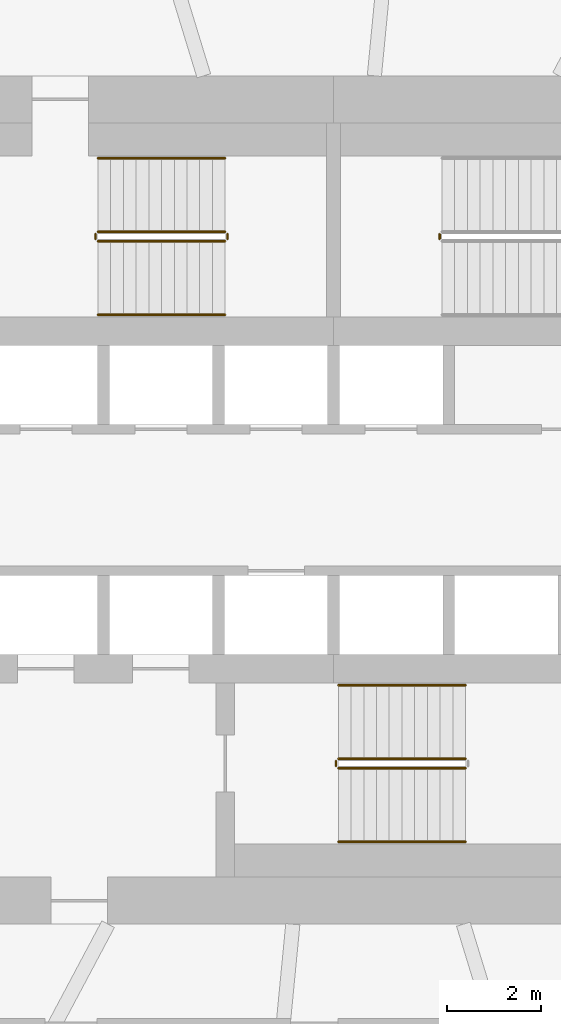
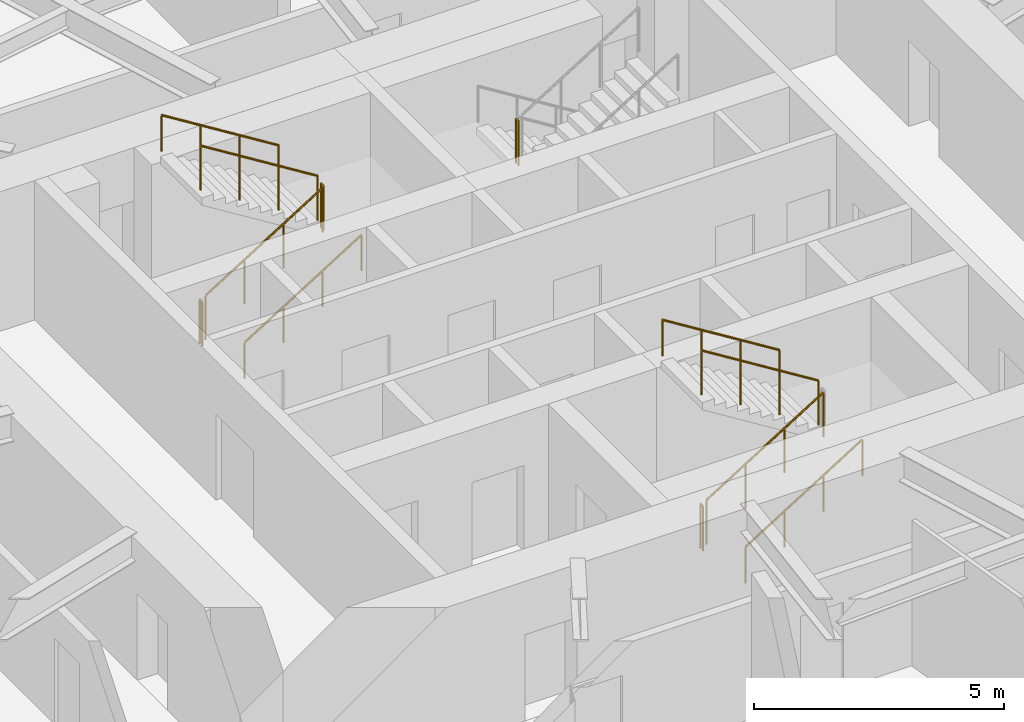
# One storey, part 13 of 16: 12 railings.
"""IFC4 building model written with IfcOpenShell, lengths in metres."""

import ifcopenshell
import ifcopenshell.guid

model = None  # the IFC model being written
_history = None  # IfcOwnerHistory: only IFC2X3 demands one
_inside = {}  # id of a spatial element -> (the spatial element, [elements in it])
_under = {}  # id of a project, library or spatial element -> (it, [spatial elements below it])
_declared = {}  # id of a project -> (the project, [libraries it declares])
_typed = {}  # id of a type object -> (the type object, [elements of that type])
_made_of = {}  # id of a material, layer set ... -> (it, [elements and type objects made of it])


def new_model(schema):
    """Start an empty IFC model of exactly this schema.

    Asked for "IFC4X3", IfcOpenShell would pick the latest addendum, in which some entities
    have other attributes; the version numbers below select the first issue.
    IFC2X3 requires an IfcOwnerHistory on every rooted entity: one is made here for all.
    """
    global model, _history
    if schema == "IFC4X3":
        model = ifcopenshell.file(schema_version=(4, 3, 0, 0))
    else:
        model = ifcopenshell.file(schema=schema)
    _inside.clear()
    _under.clear()
    _declared.clear()
    _typed.clear()
    _made_of.clear()
    _history = None
    if model.schema == "IFC2X3":
        org = make("IfcOrganization", Name="unknown")
        user = make(
            "IfcPersonAndOrganization",
            ThePerson=make("IfcPerson", FamilyName="unknown"),
            TheOrganization=org,
        )
        app = make(
            "IfcApplication",
            ApplicationDeveloper=org,
            Version="unknown",
            ApplicationFullName="unknown",
            ApplicationIdentifier="unknown",
        )
        _history = make(
            "IfcOwnerHistory",
            OwningUser=user,
            OwningApplication=app,
            ChangeAction="ADDED",
            CreationDate=0,
        )
    return model


def make(cls, **values):
    """One entity of the class cls with the attributes given. An attribute that is None is left unset."""
    return model.create_entity(
        cls, **{name: value for name, value in values.items() if value is not None}
    )


def rooted(cls, **values):
    """An entity with a GlobalId (a new one), such as an element, a storey or a relation."""
    return make(cls, GlobalId=ifcopenshell.guid.new(), OwnerHistory=_history, **values)


def si_unit(unit_type, name, prefix=None):
    """IfcSIUnit, for example si_unit("LENGTHUNIT", "METRE", prefix="MILLI")."""
    return make("IfcSIUnit", UnitType=unit_type, Prefix=prefix, Name=name)


def assignment(units):
    """IfcUnitAssignment: the units of a project."""
    return None if units is None else make("IfcUnitAssignment", Units=units)


def point(xyz):
    """IfcCartesianPoint."""
    return None if xyz is None else make("IfcCartesianPoint", Coordinates=xyz)


def direction(xyz):
    """IfcDirection."""
    return None if xyz is None else make("IfcDirection", DirectionRatios=xyz)


def frame(location, z_axis=None, x_axis=None):
    """IfcAxis2Placement3D, a coordinate frame: its origin and axes. An axis left out is left unset."""
    return make(
        "IfcAxis2Placement3D",
        Location=point(location),
        Axis=direction(z_axis),
        RefDirection=direction(x_axis),
    )


def frame_2d(location, x_axis=None):
    """IfcAxis2Placement2D, a coordinate frame in the plane: its origin and x axis."""
    return make(
        "IfcAxis2Placement2D", Location=point(location), RefDirection=direction(x_axis)
    )


def origin():
    """The frame at (0, 0, 0) with its axes left unset."""
    return frame((0.0, 0.0, 0.0))


def origin_2d():
    """The frame at (0, 0) in the plane with its x axis left unset."""
    return frame_2d((0.0, 0.0))


def place(relative_to, where):
    """IfcLocalPlacement: puts the frame where relative to a parent placement (None: the world)."""
    return make(
        "IfcLocalPlacement", PlacementRelTo=relative_to, RelativePlacement=where
    )


def context(
    kind, dimensions, precision=None, world=None, true_north=None, identifier=None
):
    """IfcGeometricRepresentationContext, for example the 3D "Model" context."""
    return make(
        "IfcGeometricRepresentationContext",
        ContextIdentifier=identifier,
        ContextType=kind,
        CoordinateSpaceDimension=dimensions,
        Precision=precision,
        WorldCoordinateSystem=world,
        TrueNorth=true_north,
    )


def subcontext(parent, identifier, kind, view, scale=None):
    """IfcGeometricRepresentationSubContext, for example "Body" below "Model"."""
    return make(
        "IfcGeometricRepresentationSubContext",
        ContextIdentifier=identifier,
        ContextType=kind,
        ParentContext=parent,
        TargetScale=scale,
        TargetView=view,
    )


def project(units=None, contexts=None):
    """IfcProject with its units and contexts."""
    return rooted(
        "IfcProject",
        Name="project",
        RepresentationContexts=contexts,
        UnitsInContext=assignment(units),
    )


def spatial(cls, under=None, at=None, **own):
    """A site, building, storey or space (cls), placed at a placement, below another one or the project."""
    s = rooted(cls, ObjectPlacement=at, **own)
    if under is not None:
        _under.setdefault(under.id(), (under, []))[1].append(s)
    return s


def profile(cls, at=None, kind="AREA", **sizes):
    """A parametric profile (cls). Its sizes go by their IFC names, for example OverallWidth=200.0."""
    return make(cls, ProfileType=kind, Position=at, **sizes)


def circle(**sizes):
    """IfcCircleProfileDef."""
    return profile("IfcCircleProfileDef", **sizes)


def extrude(swept, where, along, depth):
    """IfcExtrudedAreaSolid: the profile swept, set in the frame where, extruded along a direction by depth."""
    return make(
        "IfcExtrudedAreaSolid",
        SweptArea=swept,
        Position=where,
        ExtrudedDirection=direction(along),
        Depth=depth,
    )


def shape(context_of_items, identifier, shape_type, items):
    """IfcShapeRepresentation: the items that make up one representation, for example the "Body"."""
    return make(
        "IfcShapeRepresentation",
        ContextOfItems=context_of_items,
        RepresentationIdentifier=identifier,
        RepresentationType=shape_type,
        Items=items,
    )


def material(Name=None, Category=None):
    """IfcMaterial."""
    return make("IfcMaterial", Name=Name, Category=Category)


def made_of(thing, what):
    """Note that an element or type object is made of a material, layer set ...; save() writes the relation."""
    if what is not None:
        _made_of.setdefault(what.id(), (what, []))[1].append(thing)
    return thing


def type_object(cls, material=None, **own):
    """A type object (cls), such as IfcWallType, which elements share."""
    return made_of(rooted(cls, **own), material)


def element(
    cls,
    number,
    at=None,
    inside=None,
    cuts=None,
    type_object=None,
    material=None,
    context=None,
    identifier="Body",
    shape_type=None,
    held_by="IfcProductDefinitionShape",
    body=None,
    shapes=None,
    **own,
):
    """One element of the class cls, such as IfcWall. Its Tag is "e" and its number.

    at: its placement. inside: the storey or other place that contains it. cuts: it is an
    opening in that element (IfcRelVoidsElement). A single representation is given by context,
    identifier, shape_type and body (its items); several are given by shapes. held_by: the class
    of the entity that holds the representations. save() writes the other relations.
    """
    e = rooted(cls, Tag="e%d" % number, ObjectPlacement=at, **own)
    if body is not None:
        shapes = [shape(context, identifier, shape_type, body)]
    if shapes is not None:
        e.Representation = make(held_by, Representations=shapes)
    if inside is not None:
        _inside.setdefault(inside.id(), (inside, []))[1].append(e)
    if cuts is not None:
        rooted(
            "IfcRelVoidsElement", RelatingBuildingElement=cuts, RelatedOpeningElement=e
        )
    if type_object is not None:
        _typed.setdefault(type_object.id(), (type_object, []))[1].append(e)
    return made_of(e, material)


def aggregate(whole, parts):
    """IfcRelAggregates: a whole, such as a stair, and the parts it consists of."""
    return rooted("IfcRelAggregates", RelatingObject=whole, RelatedObjects=parts)


def save(model, path):
    """Write the relations noted so far, then the file.

    IfcRelAggregates (storeys below a building ...), IfcRelContainedInSpatialStructure (elements
    in a storey), IfcRelDefinesByType, IfcRelAssociatesMaterial and IfcRelDeclares: one each for
    every whole, place, type object, material and project.
    """
    for whole, parts in _under.values():
        aggregate(whole, parts)
    for where, things in _inside.values():
        rooted(
            "IfcRelContainedInSpatialStructure",
            RelatedElements=things,
            RelatingStructure=where,
        )
    for kind, things in _typed.values():
        rooted("IfcRelDefinesByType", RelatedObjects=things, RelatingType=kind)
    for what, things in _made_of.values():
        rooted("IfcRelAssociatesMaterial", RelatedObjects=things, RelatingMaterial=what)
    for by, libraries in _declared.values():
        rooted("IfcRelDeclares", RelatingContext=by, RelatedDefinitions=libraries)
    model.write(path)


model = new_model("IFC4")

# Units and contexts
model_context = context("Model", 3, precision=1e-05, world=origin(), true_north=direction((0.0, 1.0)))
body_context = subcontext(model_context, "Body", "Model", "MODEL_VIEW")
ifc_project = project(units=[si_unit("LENGTHUNIT", "METRE"), si_unit("AREAUNIT", "SQUARE_METRE"), si_unit("VOLUMEUNIT", "CUBIC_METRE"), si_unit("PLANEANGLEUNIT", "RADIAN"), si_unit("MASSUNIT", "GRAM", prefix="KILO")], contexts=[model_context])

# Site, building, storey
site_placement = place(None, origin())
site = spatial("IfcSite", under=ifc_project, at=site_placement, CompositionType="ELEMENT")
building_placement = place(site_placement, origin())
building = spatial("IfcBuilding", under=site, at=building_placement, Name="Vermilion Reach Broadcast Tower", CompositionType="ELEMENT")
storey_placement = place(building_placement, frame((0.0, 0.0, 69.300048828125)))
storey = spatial("IfcBuildingStorey", under=building, at=storey_placement, Name="L14", CompositionType="ELEMENT", Elevation=69.300048828125)

# Railings
ifc_material_1 = material(Name="Stainless steel", Category="steel")
railing_type_1 = type_object("IfcRailingType", Name="Stair guard 1100", PredefinedType="GUARDRAIL", material=ifc_material_1)
railing_1_placement = place(storey_placement, frame((-11.0, 5.489990234375, 0.168212890625)))
element("IfcRailing", 1, at=railing_1_placement, inside=storey, type_object=railing_type_1, Name="L14 ST1 stair guard 1", PredefinedType="GUARDRAIL", context=body_context, shape_type="SweptSolid", body=[
    extrude(circle(Radius=0.02392578125, at=origin_2d()), frame((0.0, 0.0, 1.076171875), z_axis=(0.84882087487, 0.0, 0.528680548522), x_axis=(0.0, 1.0, 0.0)), (0.0, 0.0, 1.0), 3.180908203125),
    extrude(circle(Radius=0.02099609375, at=origin_2d()), origin(), (0.0, 0.0, 1.0), 1.052001953125),
    extrude(circle(Radius=0.02099609375, at=origin_2d()), frame((0.89990234375, 0.0, 0.560546875)), (0.0, 0.0, 1.0), 1.052001953125),
    extrude(circle(Radius=0.02099609375, at=origin_2d()), frame((1.800048828125, 0.0, 1.12109375)), (0.0, 0.0, 1.0), 1.052001953125),
    extrude(circle(Radius=0.02099609375, at=origin_2d()), frame((2.699951171875, 0.0, 1.681640625)), (0.0, 0.0, 1.0), 1.052001953125),
])
railing_2_placement = place(storey_placement, frame((-8.25, 5.5400390625, 1.849853515625)))
element("IfcRailing", 2, at=railing_2_placement, inside=storey, type_object=railing_type_1, Name="L14 ST1 stair guard 2", PredefinedType="GUARDRAIL", context=body_context, shape_type="SweptSolid", body=[
    extrude(circle(Radius=0.02392578125, at=origin_2d()), frame((0.0, 0.0, 1.076171875), z_axis=(0.0, 1.0, 0.0), x_axis=(-1.0, 0.0, 0.0)), (0.0, 0.0, 1.0), 0.099853515625),
    extrude(circle(Radius=0.02099609375, at=origin_2d()), origin(), (0.0, 0.0, 1.0), 1.052001953125),
    extrude(circle(Radius=0.02099609375, at=origin_2d()), frame((0.0, 0.099853515625, 0.0)), (0.0, 0.0, 1.0), 1.052001953125),
])
railing_3_placement = place(storey_placement, frame((-8.300048828125, 5.68994140625, 2.01806640625)))
element("IfcRailing", 3, at=railing_3_placement, inside=storey, type_object=railing_type_1, Name="L14 ST1 stair guard 3", PredefinedType="GUARDRAIL", context=body_context, shape_type="SweptSolid", body=[
    extrude(circle(Radius=0.02392578125, at=origin_2d()), frame((0.0, 0.0, 1.076171875), z_axis=(-0.848786430784, 0.0, 0.528735846068), x_axis=(0.0, -1.0, 0.0)), (0.0, 0.0, 1.0), 3.180908203125),
    extrude(circle(Radius=0.02099609375, at=origin_2d()), origin(), (0.0, 0.0, 1.0), 1.052001953125),
    extrude(circle(Radius=0.02099609375, at=origin_2d()), frame((-0.89990234375, 0.0, 0.560546875)), (0.0, 0.0, 1.0), 1.052001953125),
    extrude(circle(Radius=0.02099609375, at=origin_2d()), frame((-1.800048828125, 0.0, 1.121337890625)), (0.0, 0.0, 1.0), 1.052001953125),
    extrude(circle(Radius=0.02099609375, at=origin_2d()), frame((-2.699951171875, 0.0, 1.681884765625)), (0.0, 0.0, 1.0), 1.052001953125),
])
railing_4_placement = place(storey_placement, frame((-11.050048828125, 5.5400390625, 0.0)))
element("IfcRailing", 4, at=railing_4_placement, inside=storey, type_object=railing_type_1, Name="L14 ST1 stair guard 4", PredefinedType="GUARDRAIL", context=body_context, shape_type="SweptSolid", body=[
    extrude(circle(Radius=0.02392578125, at=origin_2d()), frame((0.0, 0.0, 1.076171875), z_axis=(0.0, 1.0, 0.0), x_axis=(-1.0, 0.0, 0.0)), (0.0, 0.0, 1.0), 0.099853515625),
    extrude(circle(Radius=0.02099609375, at=origin_2d()), origin(), (0.0, 0.0, 1.0), 1.052001953125),
    extrude(circle(Radius=0.02099609375, at=origin_2d()), frame((0.0, 0.099853515625, 0.0)), (0.0, 0.0, 1.0), 1.052001953125),
])
railing_5_placement = place(storey_placement, frame((-3.75, 5.639892578125, 1.849853515625)))
element("IfcRailing", 5, at=railing_5_placement, inside=storey, type_object=railing_type_1, Name="L14 ST2 stair guard 2", PredefinedType="GUARDRAIL", context=body_context, shape_type="SweptSolid", body=[
    extrude(circle(Radius=0.02392578125, at=origin_2d()), frame((0.0, 0.0, 1.076171875), z_axis=(0.0, -1.0, 0.0), x_axis=(1.0, 0.0, 0.0)), (0.0, 0.0, 1.0), 0.099853515625),
    extrude(circle(Radius=0.02099609375, at=origin_2d()), origin(), (0.0, 0.0, 1.0), 1.052001953125),
    extrude(circle(Radius=0.02099609375, at=origin_2d()), frame((0.0, -0.099853515625, 0.0)), (0.0, 0.0, 1.0), 1.052001953125),
])
railing_6_placement = place(storey_placement, frame((-5.89990234375, -5.68994140625, 0.168212890625)))
element("IfcRailing", 6, at=railing_6_placement, inside=storey, type_object=railing_type_1, Name="L14 ST3 stair guard 1", PredefinedType="GUARDRAIL", context=body_context, shape_type="SweptSolid", body=[
    extrude(circle(Radius=0.02392578125, at=origin_2d()), frame((0.0, 0.0, 1.076171875), z_axis=(0.84882087487, 0.0, 0.528680548522), x_axis=(0.0, 1.0, 0.0)), (0.0, 0.0, 1.0), 3.180908203125),
    extrude(circle(Radius=0.02099609375, at=origin_2d()), origin(), (0.0, 0.0, 1.0), 1.052001953125),
    extrude(circle(Radius=0.02099609375, at=origin_2d()), frame((0.89990234375, 0.0, 0.560546875)), (0.0, 0.0, 1.0), 1.052001953125),
    extrude(circle(Radius=0.02099609375, at=origin_2d()), frame((1.800048828125, 0.0, 1.12109375)), (0.0, 0.0, 1.0), 1.052001953125),
    extrude(circle(Radius=0.02099609375, at=origin_2d()), frame((2.699951171875, 0.0, 1.681640625)), (0.0, 0.0, 1.0), 1.052001953125),
])
railing_7_placement = place(storey_placement, frame((-3.199951171875, -5.489990234375, 2.01806640625)))
element("IfcRailing", 7, at=railing_7_placement, inside=storey, type_object=railing_type_1, Name="L14 ST3 stair guard 3", PredefinedType="GUARDRAIL", context=body_context, shape_type="SweptSolid", body=[
    extrude(circle(Radius=0.02392578125, at=origin_2d()), frame((0.0, 0.0, 1.076171875), z_axis=(-0.848786430784, 0.0, 0.528735846068), x_axis=(0.0, -1.0, 0.0)), (0.0, 0.0, 1.0), 3.180908203125),
    extrude(circle(Radius=0.02099609375, at=origin_2d()), origin(), (0.0, 0.0, 1.0), 1.052001953125),
    extrude(circle(Radius=0.02099609375, at=origin_2d()), frame((-0.89990234375, 0.0, 0.560546875)), (0.0, 0.0, 1.0), 1.052001953125),
    extrude(circle(Radius=0.02099609375, at=origin_2d()), frame((-1.800048828125, 0.0, 1.121337890625)), (0.0, 0.0, 1.0), 1.052001953125),
    extrude(circle(Radius=0.02099609375, at=origin_2d()), frame((-2.699951171875, 0.0, 1.681884765625)), (0.0, 0.0, 1.0), 1.052001953125),
])
railing_8_placement = place(storey_placement, frame((-5.949951171875, -5.639892578125, 0.0)))
element("IfcRailing", 8, at=railing_8_placement, inside=storey, type_object=railing_type_1, Name="L14 ST3 stair guard 4", PredefinedType="GUARDRAIL", context=body_context, shape_type="SweptSolid", body=[
    extrude(circle(Radius=0.02392578125, at=origin_2d()), frame((0.0, 0.0, 1.076171875), z_axis=(0.0, 1.0, 0.0), x_axis=(-1.0, 0.0, 0.0)), (0.0, 0.0, 1.0), 0.099853515625),
    extrude(circle(Radius=0.02099609375, at=origin_2d()), origin(), (0.0, 0.0, 1.0), 1.052001953125),
    extrude(circle(Radius=0.02099609375, at=origin_2d()), frame((0.0, 0.099853515625, 0.0)), (0.0, 0.0, 1.0), 1.052001953125),
])
ifc_material_2 = material(Name="Stainless steel", Category="steel")
railing_type_2 = type_object("IfcRailingType", Name="Stair handrail", PredefinedType="HANDRAIL", material=ifc_material_2)
railing_9_placement = place(storey_placement, frame((-11.0, 3.929931640625, 0.168212890625)))
element("IfcRailing", 9, at=railing_9_placement, inside=storey, type_object=railing_type_2, Name="L14 ST1 stair handrail 1", PredefinedType="HANDRAIL", context=body_context, shape_type="SweptSolid", body=[
    extrude(circle(Radius=0.02392578125, at=origin_2d()), frame((0.0, 0.0, 0.8759765625), z_axis=(0.84882087487, 0.0, 0.528680548522), x_axis=(0.0, 1.0, 0.0)), (0.0, 0.0, 1.0), 3.180908203125),
    extrude(circle(Radius=0.02099609375, at=origin_2d()), origin(), (0.0, 0.0, 1.0), 0.851806640625),
    extrude(circle(Radius=0.02099609375, at=origin_2d()), frame((0.89990234375, 0.0, 0.560546875)), (0.0, 0.0, 1.0), 0.851806640625),
    extrude(circle(Radius=0.02099609375, at=origin_2d()), frame((1.800048828125, 0.0, 1.12109375)), (0.0, 0.0, 1.0), 0.851806640625),
    extrude(circle(Radius=0.02099609375, at=origin_2d()), frame((2.699951171875, 0.0, 1.681640625)), (0.0, 0.0, 1.0), 0.851806640625),
])
railing_10_placement = place(storey_placement, frame((-8.300048828125, 7.25, 2.01806640625)))
element("IfcRailing", 10, at=railing_10_placement, inside=storey, type_object=railing_type_2, Name="L14 ST1 stair handrail 2", PredefinedType="HANDRAIL", context=body_context, shape_type="SweptSolid", body=[
    extrude(circle(Radius=0.02392578125, at=origin_2d()), frame((0.0, 0.0, 0.8759765625), z_axis=(-0.848786430784, 0.0, 0.528735846068), x_axis=(0.0, -1.0, 0.0)), (0.0, 0.0, 1.0), 3.180908203125),
    extrude(circle(Radius=0.02099609375, at=origin_2d()), origin(), (0.0, 0.0, 1.0), 0.851806640625),
    extrude(circle(Radius=0.02099609375, at=origin_2d()), frame((-0.89990234375, 0.0, 0.560546875)), (0.0, 0.0, 1.0), 0.851806640625),
    extrude(circle(Radius=0.02099609375, at=origin_2d()), frame((-1.800048828125, 0.0, 1.121337890625)), (0.0, 0.0, 1.0), 0.851806640625),
    extrude(circle(Radius=0.02099609375, at=origin_2d()), frame((-2.699951171875, 0.0, 1.681884765625)), (0.0, 0.0, 1.0), 0.851806640625),
])
railing_11_placement = place(storey_placement, frame((-5.89990234375, -7.25, 0.168212890625)))
element("IfcRailing", 11, at=railing_11_placement, inside=storey, type_object=railing_type_2, Name="L14 ST3 stair handrail 1", PredefinedType="HANDRAIL", context=body_context, shape_type="SweptSolid", body=[
    extrude(circle(Radius=0.02392578125, at=origin_2d()), frame((0.0, 0.0, 0.8759765625), z_axis=(0.84882087487, 0.0, 0.528680548522), x_axis=(0.0, 1.0, 0.0)), (0.0, 0.0, 1.0), 3.180908203125),
    extrude(circle(Radius=0.02099609375, at=origin_2d()), origin(), (0.0, 0.0, 1.0), 0.851806640625),
    extrude(circle(Radius=0.02099609375, at=origin_2d()), frame((0.89990234375, 0.0, 0.560546875)), (0.0, 0.0, 1.0), 0.851806640625),
    extrude(circle(Radius=0.02099609375, at=origin_2d()), frame((1.800048828125, 0.0, 1.12109375)), (0.0, 0.0, 1.0), 0.851806640625),
    extrude(circle(Radius=0.02099609375, at=origin_2d()), frame((2.699951171875, 0.0, 1.681640625)), (0.0, 0.0, 1.0), 0.851806640625),
])
railing_12_placement = place(storey_placement, frame((-3.199951171875, -3.929931640625, 2.01806640625)))
element("IfcRailing", 12, at=railing_12_placement, inside=storey, type_object=railing_type_2, Name="L14 ST3 stair handrail 2", PredefinedType="HANDRAIL", context=body_context, shape_type="SweptSolid", body=[
    extrude(circle(Radius=0.02392578125, at=origin_2d()), frame((0.0, 0.0, 0.8759765625), z_axis=(-0.848786430784, 0.0, 0.528735846068), x_axis=(0.0, -1.0, 0.0)), (0.0, 0.0, 1.0), 3.180908203125),
    extrude(circle(Radius=0.02099609375, at=origin_2d()), origin(), (0.0, 0.0, 1.0), 0.851806640625),
    extrude(circle(Radius=0.02099609375, at=origin_2d()), frame((-0.89990234375, 0.0, 0.560546875)), (0.0, 0.0, 1.0), 0.851806640625),
    extrude(circle(Radius=0.02099609375, at=origin_2d()), frame((-1.800048828125, 0.0, 1.121337890625)), (0.0, 0.0, 1.0), 0.851806640625),
    extrude(circle(Radius=0.02099609375, at=origin_2d()), frame((-2.699951171875, 0.0, 1.681884765625)), (0.0, 0.0, 1.0), 0.851806640625),
])

save(model, "model.ifc")
